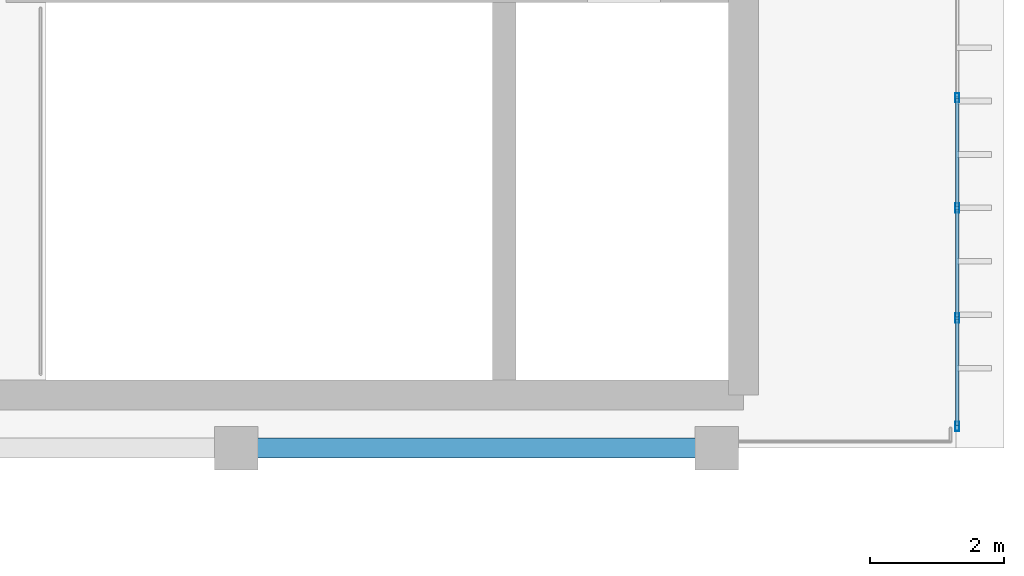
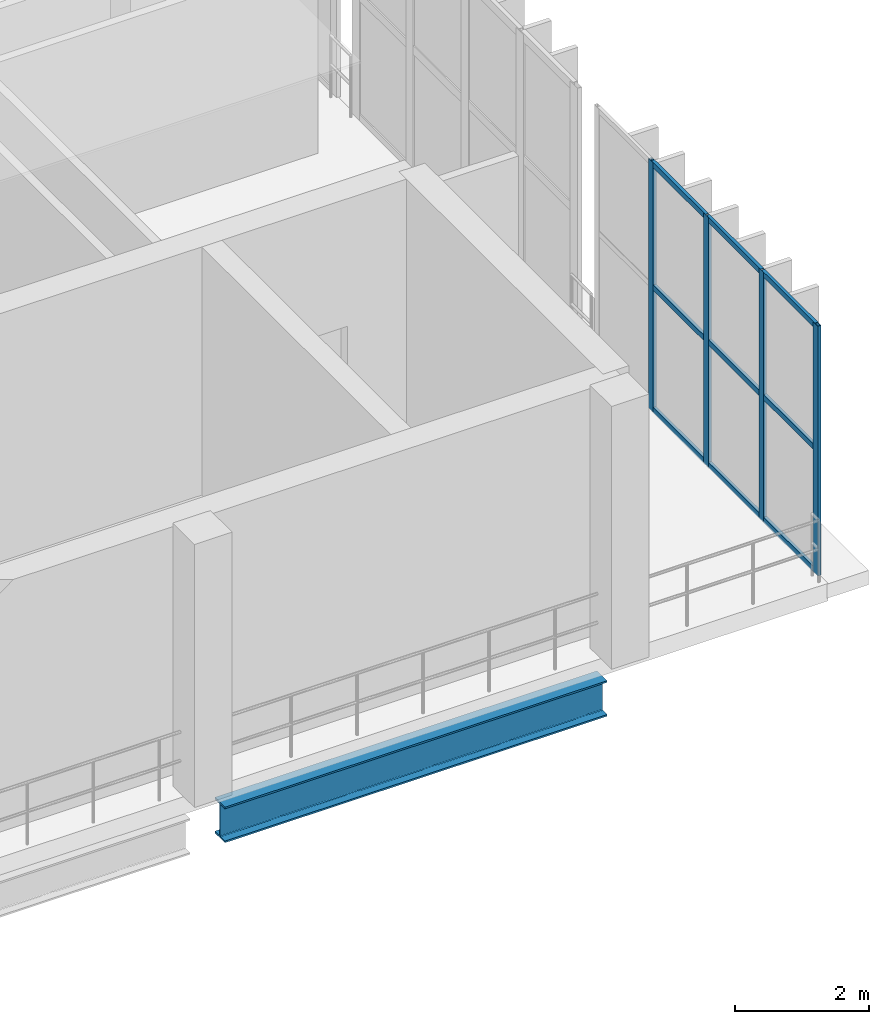
# One storey, part 57 of 105: 13 members, 1 beam, 1 element without a shape of its own.
"""IFC4 building model written with IfcOpenShell, lengths in metres."""

from ifc_helpers import new_model, si_unit, direction, frame, origin, origin_2d, place, context, subcontext, project, spatial, hollow_rectangle, i_section, extrude, material, material_profile, profile_set, type_object, element, aggregate, save


model = new_model("IFC4")

# Units and contexts
model_context = context("Model", 3, precision=1e-05, world=origin(), true_north=direction((0.0, 1.0)))
body_context = subcontext(model_context, "Body", "Model", "MODEL_VIEW")
ifc_project = project(units=[si_unit("LENGTHUNIT", "METRE"), si_unit("AREAUNIT", "SQUARE_METRE"), si_unit("VOLUMEUNIT", "CUBIC_METRE"), si_unit("PLANEANGLEUNIT", "RADIAN"), si_unit("MASSUNIT", "GRAM", prefix="KILO")], contexts=[model_context])

# Site, building, storey
site_placement = place(None, origin())
site = spatial("IfcSite", under=ifc_project, at=site_placement, CompositionType="ELEMENT")
building_placement = place(site_placement, origin())
building = spatial("IfcBuilding", under=site, at=building_placement, Name="Qandorah Velis Arena", CompositionType="ELEMENT")
storey_placement = place(building_placement, frame((0.0, 0.0, 13.800048828125)))
storey = spatial("IfcBuildingStorey", under=building, at=storey_placement, Name="L03", CompositionType="ELEMENT", Elevation=13.800048828125)

# Curtain wall, members
ifc_material_1 = material(Name="Solar-control low-E double glazing", Category="glass")
curtain_wall_type = type_object("IfcCurtainWallType", Name="ARC-CW-SYS08", PredefinedType="USERDEFINED", material=ifc_material_1)
curtain_wall_placement = place(storey_placement, origin())
curtain_wall = element("IfcCurtainWall", 1, at=curtain_wall_placement, inside=storey, type_object=curtain_wall_type, Name="Unitised curtain wall L03-152", ObjectType="UNITISED CURTAIN WALL", PredefinedType="USERDEFINED")
ifc_material_2 = material(Name="Champagne-bronze anodized aluminium 6063-T6", Category="aluminium")
ifc_material_profile_1 = material_profile(ifc_material_2, hollow_rectangle(XDim=0.054931640625, YDim=0.139892578125, WallThickness=0.0029296875, at=origin_2d()), Name="ALU MULLION 55x140")
ifc_profile_set_1 = profile_set([ifc_material_profile_1], Name="Champagne-bronze anodized aluminium 6063-T6")
member_type_1 = type_object("IfcMemberType", Name="ARC-CWM-140", PredefinedType="MULLION", material=ifc_profile_set_1)
member_1_placement = place(storey_placement, frame((169.199951171875, 43.527587890625, -0.01513671875), z_axis=(0.0, 0.0, 1.0), x_axis=(-1.0, 0.0, 0.0)))
member_1 = element("IfcMember", 2, at=member_1_placement, type_object=member_type_1, Name="CW08 mullion 1", PredefinedType="MULLION", context=body_context, shape_type="SweptSolid", body=[
    extrude(hollow_rectangle(XDim=0.054931640625, YDim=0.139892578125, WallThickness=0.0029296875, at=origin_2d()), origin(), (0.0, 0.0, 1.0), 4.56005859375),
])
member_2_placement = place(storey_placement, frame((169.199951171875, 45.14990234375, -0.01513671875), z_axis=(0.0, 0.0, 1.0), x_axis=(-1.0, 0.0, 0.0)))
member_2 = element("IfcMember", 3, at=member_2_placement, type_object=member_type_1, Name="CW08 mullion 2", PredefinedType="MULLION", context=body_context, shape_type="SweptSolid", body=[
    extrude(hollow_rectangle(XDim=0.054931640625, YDim=0.139892578125, WallThickness=0.0029296875, at=origin_2d()), origin(), (0.0, 0.0, 1.0), 4.56005859375),
])
member_3_placement = place(storey_placement, frame((169.199951171875, 46.800048828125, -0.01513671875), z_axis=(0.0, 0.0, 1.0), x_axis=(-1.0, 0.0, 0.0)))
member_3 = element("IfcMember", 4, at=member_3_placement, type_object=member_type_1, Name="CW08 mullion 3", PredefinedType="MULLION", context=body_context, shape_type="SweptSolid", body=[
    extrude(hollow_rectangle(XDim=0.054931640625, YDim=0.139892578125, WallThickness=0.0029296875, at=origin_2d()), origin(), (0.0, 0.0, 1.0), 4.56005859375),
])
member_4_placement = place(storey_placement, frame((169.199951171875, 48.449951171875, -0.01513671875), z_axis=(0.0, 0.0, 1.0), x_axis=(-1.0, 0.0, 0.0)))
member_4 = element("IfcMember", 5, at=member_4_placement, type_object=member_type_1, Name="CW08 mullion 4", PredefinedType="MULLION", context=body_context, shape_type="SweptSolid", body=[
    extrude(hollow_rectangle(XDim=0.054931640625, YDim=0.139892578125, WallThickness=0.0029296875, at=origin_2d()), origin(), (0.0, 0.0, 1.0), 4.56005859375),
])
ifc_material_profile_2 = material_profile(ifc_material_2, hollow_rectangle(XDim=0.054931640625, YDim=0.10009765625, WallThickness=0.0029296875, at=origin_2d()), Name="ALU TRANSOM 55x100")
ifc_profile_set_2 = profile_set([ifc_material_profile_2], Name="Champagne-bronze anodized aluminium 6063-T6")
member_type_2 = type_object("IfcMemberType", Name="ARC-CWT-100", PredefinedType="USERDEFINED", material=ifc_profile_set_2)
member_5_placement = place(storey_placement, frame((169.199951171875, 43.54296875, 0.02734375), z_axis=(0.0, 1.0, 0.0), x_axis=(-1.0, 0.0, 0.0)))
member_5 = element("IfcMember", 6, at=member_5_placement, type_object=member_type_2, Name="CW08 transom 1.1", ObjectType="TRANSOM", PredefinedType="USERDEFINED", context=body_context, shape_type="SweptSolid", body=[
    extrude(hollow_rectangle(XDim=0.054931640625, YDim=0.10009765625, WallThickness=0.0029296875, at=origin_2d()), origin(), (0.0, 0.0, 1.0), 1.591552734375),
])
member_6_placement = place(storey_placement, frame((169.199951171875, 43.54296875, 2.264892578125), z_axis=(0.0, 1.0, 0.0), x_axis=(-1.0, 0.0, 0.0)))
member_6 = element("IfcMember", 7, at=member_6_placement, type_object=member_type_2, Name="CW08 transom 1.2", ObjectType="TRANSOM", PredefinedType="USERDEFINED", context=body_context, shape_type="SweptSolid", body=[
    extrude(hollow_rectangle(XDim=0.054931640625, YDim=0.10009765625, WallThickness=0.0029296875, at=origin_2d()), origin(), (0.0, 0.0, 1.0), 1.591552734375),
])
member_7_placement = place(storey_placement, frame((169.199951171875, 43.54296875, 4.50244140625), z_axis=(0.0, 1.0, 0.0), x_axis=(-1.0, 0.0, 0.0)))
member_7 = element("IfcMember", 8, at=member_7_placement, type_object=member_type_2, Name="CW08 transom 1.3", ObjectType="TRANSOM", PredefinedType="USERDEFINED", context=body_context, shape_type="SweptSolid", body=[
    extrude(hollow_rectangle(XDim=0.054931640625, YDim=0.10009765625, WallThickness=0.0029296875, at=origin_2d()), origin(), (0.0, 0.0, 1.0), 1.591552734375),
])
member_8_placement = place(storey_placement, frame((169.199951171875, 45.16552734375, 0.02734375), z_axis=(0.0, 1.0, 0.0), x_axis=(-1.0, 0.0, 0.0)))
member_8 = element("IfcMember", 9, at=member_8_placement, type_object=member_type_2, Name="CW08 transom 2.1", ObjectType="TRANSOM", PredefinedType="USERDEFINED", context=body_context, shape_type="SweptSolid", body=[
    extrude(hollow_rectangle(XDim=0.054931640625, YDim=0.10009765625, WallThickness=0.0029296875, at=origin_2d()), origin(), (0.0, 0.0, 1.0), 1.618896484375),
])
member_9_placement = place(storey_placement, frame((169.199951171875, 45.16552734375, 2.264892578125), z_axis=(0.0, 1.0, 0.0), x_axis=(-1.0, 0.0, 0.0)))
member_9 = element("IfcMember", 10, at=member_9_placement, type_object=member_type_2, Name="CW08 transom 2.2", ObjectType="TRANSOM", PredefinedType="USERDEFINED", context=body_context, shape_type="SweptSolid", body=[
    extrude(hollow_rectangle(XDim=0.054931640625, YDim=0.10009765625, WallThickness=0.0029296875, at=origin_2d()), origin(), (0.0, 0.0, 1.0), 1.618896484375),
])
member_10_placement = place(storey_placement, frame((169.199951171875, 45.16552734375, 4.50244140625), z_axis=(0.0, 1.0, 0.0), x_axis=(-1.0, 0.0, 0.0)))
member_10 = element("IfcMember", 11, at=member_10_placement, type_object=member_type_2, Name="CW08 transom 2.3", ObjectType="TRANSOM", PredefinedType="USERDEFINED", context=body_context, shape_type="SweptSolid", body=[
    extrude(hollow_rectangle(XDim=0.054931640625, YDim=0.10009765625, WallThickness=0.0029296875, at=origin_2d()), origin(), (0.0, 0.0, 1.0), 1.618896484375),
])
member_11_placement = place(storey_placement, frame((169.199951171875, 46.8154296875, 0.02734375), z_axis=(0.0, 1.0, 0.0), x_axis=(-1.0, 0.0, 0.0)))
member_11 = element("IfcMember", 12, at=member_11_placement, type_object=member_type_2, Name="CW08 transom 3.1", ObjectType="TRANSOM", PredefinedType="USERDEFINED", context=body_context, shape_type="SweptSolid", body=[
    extrude(hollow_rectangle(XDim=0.054931640625, YDim=0.10009765625, WallThickness=0.0029296875, at=origin_2d()), origin(), (0.0, 0.0, 1.0), 1.619140625),
])
member_12_placement = place(storey_placement, frame((169.199951171875, 46.8154296875, 2.264892578125), z_axis=(0.0, 1.0, 0.0), x_axis=(-1.0, 0.0, 0.0)))
member_12 = element("IfcMember", 13, at=member_12_placement, type_object=member_type_2, Name="CW08 transom 3.2", ObjectType="TRANSOM", PredefinedType="USERDEFINED", context=body_context, shape_type="SweptSolid", body=[
    extrude(hollow_rectangle(XDim=0.054931640625, YDim=0.10009765625, WallThickness=0.0029296875, at=origin_2d()), origin(), (0.0, 0.0, 1.0), 1.619140625),
])
member_13_placement = place(storey_placement, frame((169.199951171875, 46.8154296875, 4.50244140625), z_axis=(0.0, 1.0, 0.0), x_axis=(-1.0, 0.0, 0.0)))
member_13 = element("IfcMember", 14, at=member_13_placement, type_object=member_type_2, Name="CW08 transom 3.3", ObjectType="TRANSOM", PredefinedType="USERDEFINED", context=body_context, shape_type="SweptSolid", body=[
    extrude(hollow_rectangle(XDim=0.054931640625, YDim=0.10009765625, WallThickness=0.0029296875, at=origin_2d()), origin(), (0.0, 0.0, 1.0), 1.619140625),
])
aggregate(curtain_wall, [member_1, member_2, member_3, member_4, member_5, member_6, member_7, member_8, member_9, member_10, member_11, member_12, member_13])

# Beam
ifc_material_3 = material(Name="Steel S355", Category="steel")
ifc_material_profile_3 = material_profile(ifc_material_3, i_section(OverallWidth=0.300048828125, OverallDepth=0.64990234375, WebThickness=0.01611328125, FlangeThickness=0.031005859375, FilletRadius=0.027099609375, at=origin_2d()), Name="HEB 650")
ifc_profile_set_3 = profile_set([ifc_material_profile_3], Name="Steel S355")
beam_type = type_object("IfcBeamType", Name="STR-BM-HEB650", PredefinedType="BEAM", material=ifc_profile_set_3)
beam_placement = place(storey_placement, frame((158.699951171875, 43.199951171875, -0.64501953125), z_axis=(1.0, 0.0, 0.0), x_axis=(0.0, 1.0, 0.0)))
element("IfcBeam", 15, at=beam_placement, inside=storey, type_object=beam_type, Name="Primary floor girder L03 X-074", PredefinedType="BEAM", context=body_context, shape_type="SweptSolid", body=[
    extrude(i_section(OverallWidth=0.300048828125, OverallDepth=0.64990234375, WebThickness=0.01611328125, FlangeThickness=0.031005859375, FilletRadius=0.027099609375, at=origin_2d()), origin(), (0.0, 0.0, 1.0), 6.60009765625),
])

save(model, "model.ifc")
